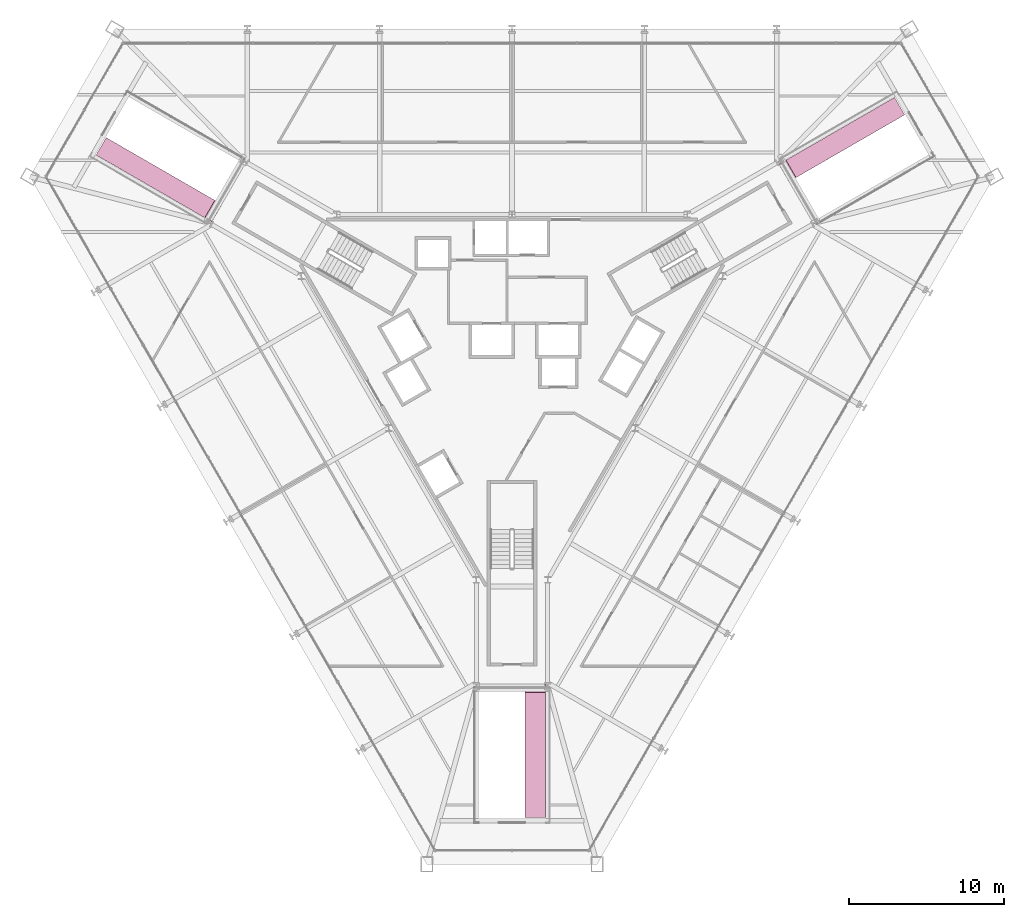
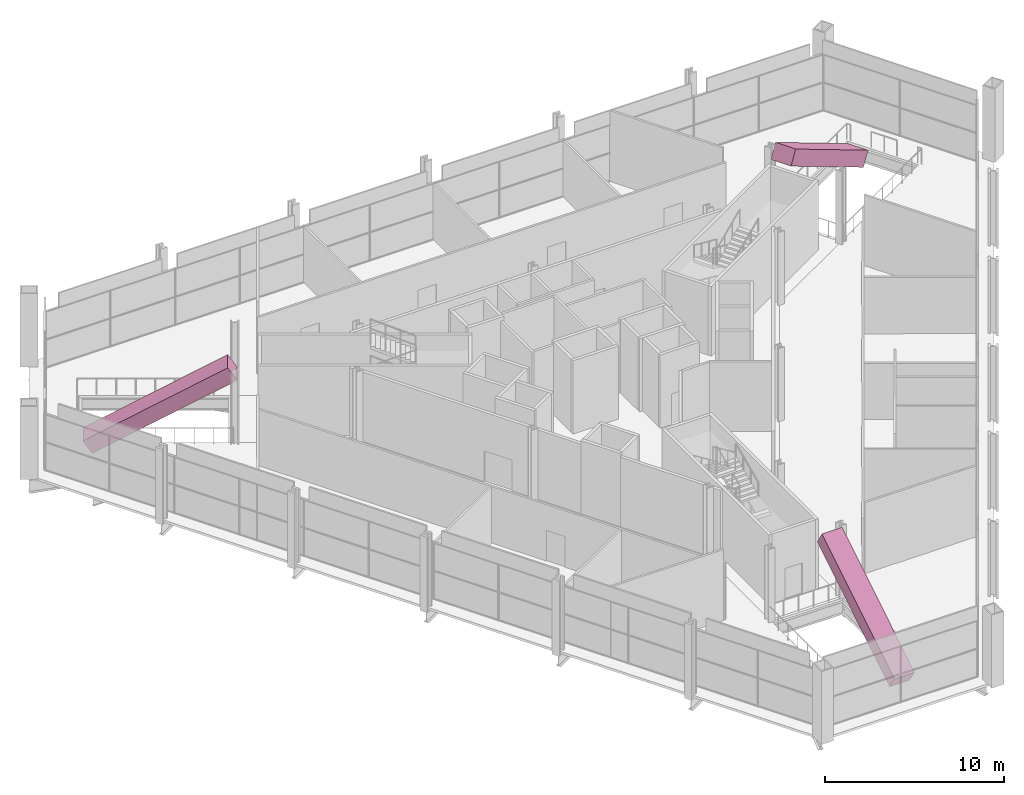
# One storey, part 20 of 20: 3 transport elements.
"""IFC4 building model written with IfcOpenShell, lengths in metres."""

from ifc_helpers import new_model, si_unit, direction, frame, origin, place, context, subcontext, project, spatial, polyline, outline, extrude, material, type_object, element, save


model = new_model("IFC4")

# Units and contexts
model_context = context("Model", 3, precision=1e-05, world=origin(), true_north=direction((0.0, 1.0)))
body_context = subcontext(model_context, "Body", "Model", "MODEL_VIEW")
ifc_project = project(units=[si_unit("LENGTHUNIT", "METRE"), si_unit("AREAUNIT", "SQUARE_METRE"), si_unit("VOLUMEUNIT", "CUBIC_METRE"), si_unit("PLANEANGLEUNIT", "RADIAN"), si_unit("MASSUNIT", "GRAM", prefix="KILO")], contexts=[model_context])

# Site, building, storey
site_placement = place(None, origin())
site = spatial("IfcSite", under=ifc_project, at=site_placement, CompositionType="ELEMENT")
building_placement = place(site_placement, origin())
building = spatial("IfcBuilding", under=site, at=building_placement, Name="Verrane Prism Tower", CompositionType="ELEMENT")
storey_placement = place(building_placement, frame((0.0, 0.0, 17.39990234375)))
storey = spatial("IfcBuildingStorey", under=building, at=storey_placement, Name="L02", CompositionType="ELEMENT", Elevation=17.39990234375)

# Transport elements
ifc_material = material(Name="Painted steel escalator truss", Category="steel")
transport_element_type = type_object("IfcTransportElementType", Name="ESC-1300 escalator truss 1000 deep", PredefinedType="ESCALATOR", material=ifc_material)
transport_element_1_placement = place(storey_placement, frame((25.382568359375, 15.63623046875, 0.0), z_axis=(0.45446659184, 0.2624405365, 0.851225635013), x_axis=(-0.737174287155, -0.425627951391, 0.524799883149)))
element("IfcTransportElement", 1, at=transport_element_1_placement, inside=storey, type_object=transport_element_type, Name="Escalator EW1 L02 to L03", PredefinedType="ESCALATOR", context=body_context, shape_type="SweptSolid", body=[
    extrude(outline(polyline([(0.0, 0.0), (9.527493108484336, -1.942890293094024e-16), (9.527517282038817, -1.300197549926091), (0.00012808662855146036, -1.2999861227617866), (0.0, 0.0)])), origin(), (0.0, 0.0, -1.0), 1.0),
])
transport_element_2_placement = place(storey_placement, frame((-26.232421875, 14.163818359375, 0.0), z_axis=(-0.454456748124, 0.262463309533, 0.851223869046), x_axis=(0.737183855323, -0.425607850843, 0.524802744612)))
element("IfcTransportElement", 2, at=transport_element_2_placement, inside=storey, type_object=transport_element_type, Name="Escalator EW2 L02 to L03", PredefinedType="ESCALATOR", context=body_context, shape_type="SweptSolid", body=[
    extrude(outline(polyline([(0.0, 0.0), (9.527389197810072, -5.273559366969494e-16), (9.527232262632642, -1.2999861199940086), (-0.00015693517742870755, -1.2999861199940081), (0.0, 0.0)])), origin(), (0.0, 0.0, -1.0), 1.0),
])
transport_element_3_placement = place(storey_placement, frame((0.85009765625, -29.800048828125, 0.0), z_axis=(0.0, -0.524794946942, 0.851228678831), x_axis=(0.0, 0.851228678831, 0.524794946942)))
element("IfcTransportElement", 3, at=transport_element_3_placement, inside=storey, type_object=transport_element_type, Name="Escalator EW3 L02 to L03", PredefinedType="ESCALATOR", context=body_context, shape_type="SweptSolid", body=[
    extrude(outline(polyline([(0.0, 0.0), (9.527530760609066, 0.0), (9.527530760609066, -1.2998046875), (0.0, -1.2998046875), (0.0, 0.0)])), origin(), (0.0, 0.0, -1.0), 1.0),
])

save(model, "model.ifc")
